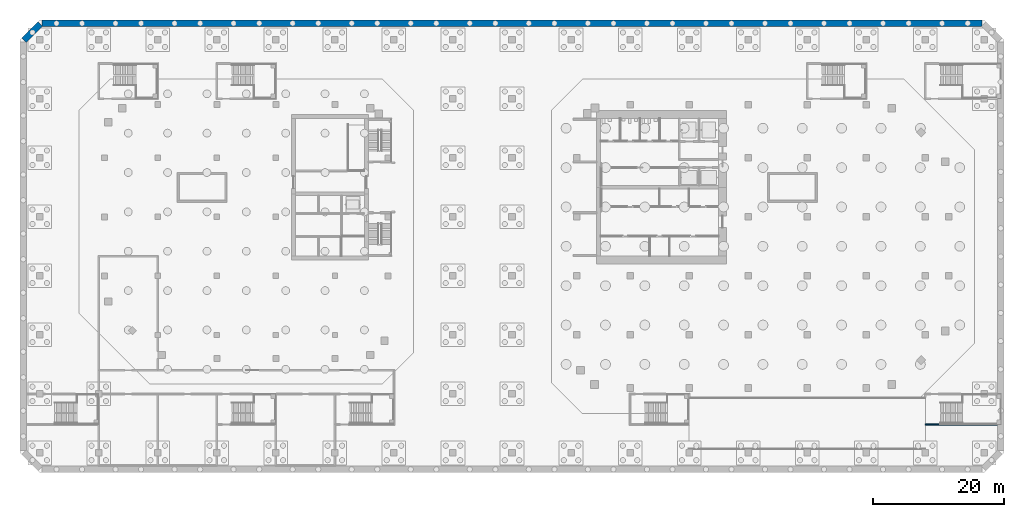
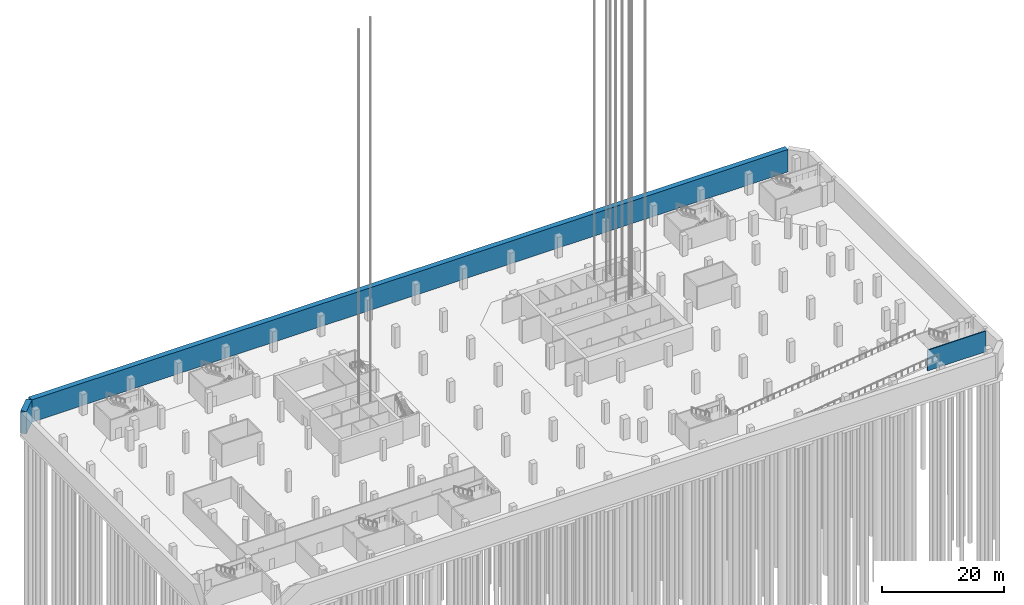
# One storey, part 22 of 30: 3 walls.
"""IFC4 building model written with IfcOpenShell, lengths in metres."""

from ifc_helpers import new_model, si_unit, direction, frame, frame_2d, origin, place, context, subcontext, project, spatial, rectangle, extrude, material, layer, layer_set, type_object, element, save


model = new_model("IFC4")

# Units and contexts
model_context = context("Model", 3, precision=1e-05, world=origin(), true_north=direction((0.0, 1.0)))
body_context = subcontext(model_context, "Body", "Model", "MODEL_VIEW")
ifc_project = project(units=[si_unit("LENGTHUNIT", "METRE"), si_unit("AREAUNIT", "SQUARE_METRE"), si_unit("VOLUMEUNIT", "CUBIC_METRE"), si_unit("PLANEANGLEUNIT", "RADIAN"), si_unit("MASSUNIT", "GRAM", prefix="KILO")], contexts=[model_context])

# Site, building, storey
site_placement = place(None, origin())
site = spatial("IfcSite", under=ifc_project, at=site_placement, CompositionType="ELEMENT")
building_placement = place(site_placement, origin())
building = spatial("IfcBuilding", under=site, at=building_placement, Name="Cinnabar Reach Civic Tower", CompositionType="ELEMENT")
storey_placement = place(building_placement, frame((0.0, 0.0, -14.0)))
storey = spatial("IfcBuildingStorey", under=building, at=storey_placement, Name="B3", CompositionType="ELEMENT", Elevation=-14.0)

# Walls
ifc_material_1 = material(Name="Concrete C70", Category="concrete")
ifc_layer_1 = layer(ifc_material_1, 1.0)
ifc_layer_set_1 = layer_set([ifc_layer_1], Name="Basement wall 1000 EI 180")
wall_type_1 = type_object("IfcWallType", Name="Basement wall 1000 EI 180", PredefinedType="SOLIDWALL", material=ifc_layer_set_1)
wall_1_placement = place(storey_placement, frame((-83.3924, 53.9004, 0.0), z_axis=(0.0, 0.0, 1.0), x_axis=(0.707106781187, 0.707106781187, 0.0)))
element("IfcWall", 1, at=wall_1_placement, inside=storey, type_object=wall_type_1, Name="Basement wall B3 3", PredefinedType="SOLIDWALL", context=body_context, shape_type="SweptSolid", body=[
    extrude(rectangle(XDim=3.5242, YDim=1.0, at=frame_2d((1.7621, 0.0))), origin(), (0.0, 0.0, 1.0), 4.5),
])
wall_2_placement = place(storey_placement, frame((-80.6408, 56.5, 0.0), z_axis=(0.0, 0.0, 1.0), x_axis=(1.0, 0.0, 0.0)))
element("IfcWall", 2, at=wall_2_placement, inside=storey, type_object=wall_type_1, Name="Basement wall B3 4", PredefinedType="SOLIDWALL", context=body_context, shape_type="SweptSolid", body=[
    extrude(rectangle(XDim=143.2816, YDim=1.0, at=frame_2d((71.6408, 0.0))), origin(), (0.0, 0.0, 1.0), 4.5),
])
ifc_material_2 = material(Name="Concrete C40", Category="concrete")
ifc_layer_2 = layer(ifc_material_2, 0.2)
ifc_layer_set_2 = layer_set([ifc_layer_2], Name="Podium stair shaft wall 200 EI 120")
wall_type_2 = type_object("IfcWallType", Name="Podium stair shaft wall 200 EI 120", PredefinedType="SOLIDWALL", material=ifc_layer_set_2)
wall_3_placement = place(storey_placement, frame((54.0, -4.65, 0.0), z_axis=(0.0, 0.0, 1.0), x_axis=(1.0, 0.0, 0.0)))
element("IfcWall", 3, at=wall_3_placement, inside=storey, type_object=wall_type_2, Name="Wall B3 16", PredefinedType="SOLIDWALL", context=body_context, shape_type="SweptSolid", body=[
    extrude(rectangle(XDim=11.0, YDim=0.2, at=frame_2d((5.5, 0.0))), origin(), (0.0, 0.0, 1.0), 4.15),
])

save(model, "model.ifc")
